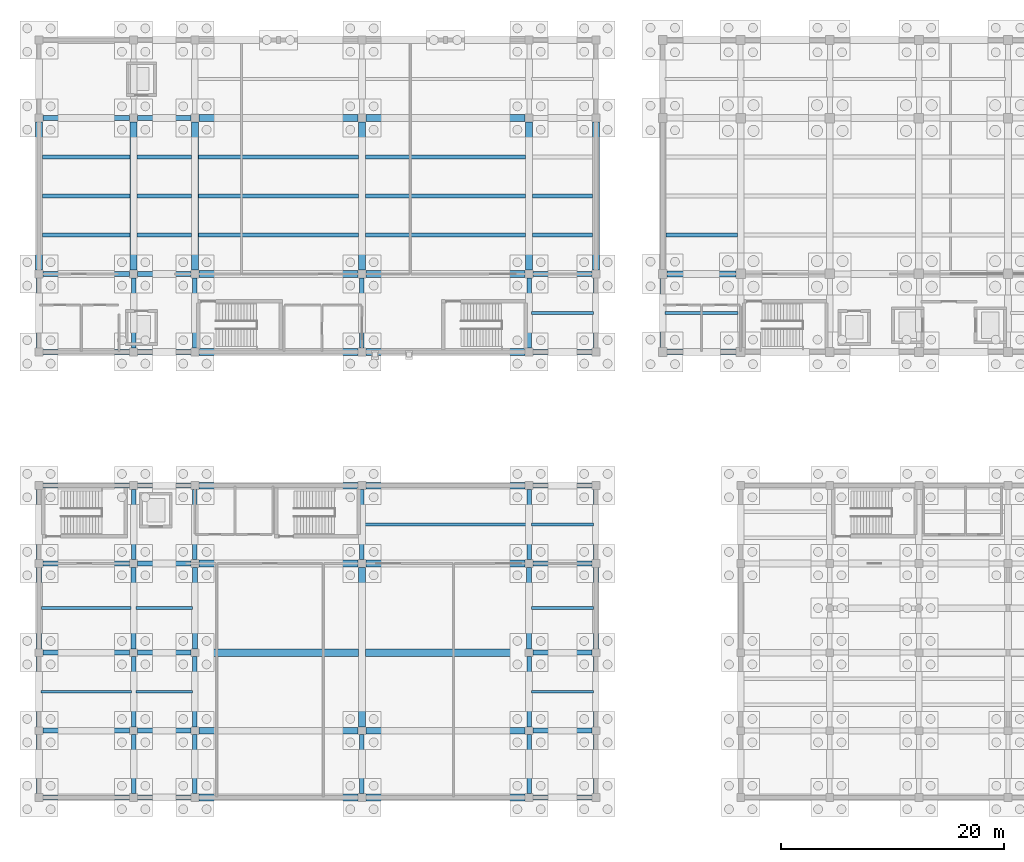
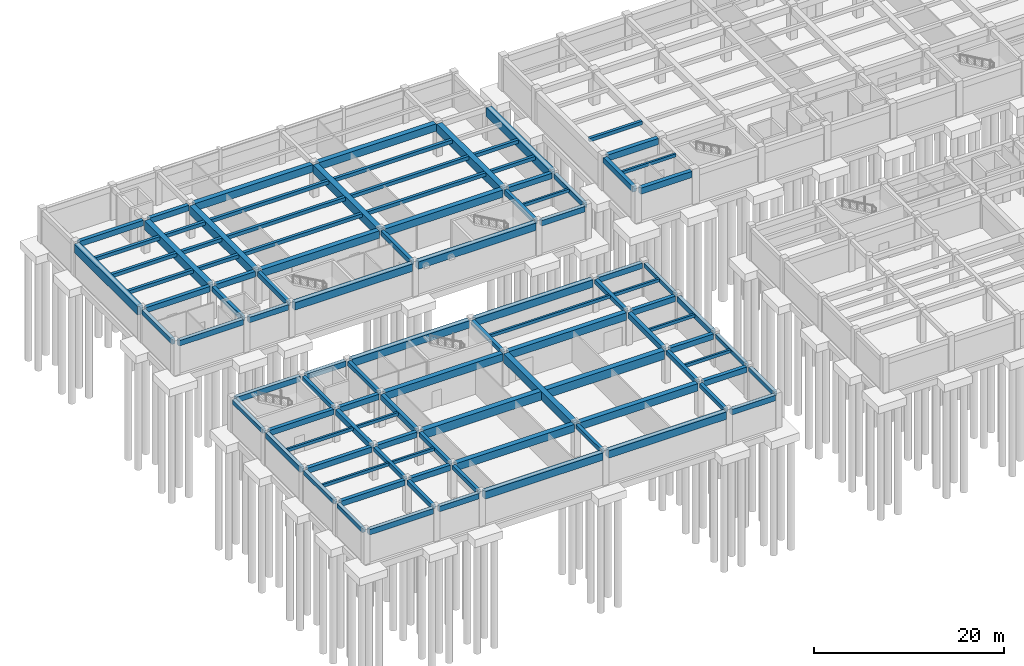
# One storey, part 10 of 28: 101 beams.
"""IFC4 building model written with IfcOpenShell, lengths in metres."""

import ifcopenshell
import ifcopenshell.guid

model = None  # the IFC model being written
_history = None  # IfcOwnerHistory: only IFC2X3 demands one
_inside = {}  # id of a spatial element -> (the spatial element, [elements in it])
_under = {}  # id of a project, library or spatial element -> (it, [spatial elements below it])
_declared = {}  # id of a project -> (the project, [libraries it declares])
_typed = {}  # id of a type object -> (the type object, [elements of that type])
_made_of = {}  # id of a material, layer set ... -> (it, [elements and type objects made of it])


def new_model(schema):
    """Start an empty IFC model of exactly this schema.

    Asked for "IFC4X3", IfcOpenShell would pick the latest addendum, in which some entities
    have other attributes; the version numbers below select the first issue.
    IFC2X3 requires an IfcOwnerHistory on every rooted entity: one is made here for all.
    """
    global model, _history
    if schema == "IFC4X3":
        model = ifcopenshell.file(schema_version=(4, 3, 0, 0))
    else:
        model = ifcopenshell.file(schema=schema)
    _inside.clear()
    _under.clear()
    _declared.clear()
    _typed.clear()
    _made_of.clear()
    _history = None
    if model.schema == "IFC2X3":
        org = make("IfcOrganization", Name="unknown")
        user = make(
            "IfcPersonAndOrganization",
            ThePerson=make("IfcPerson", FamilyName="unknown"),
            TheOrganization=org,
        )
        app = make(
            "IfcApplication",
            ApplicationDeveloper=org,
            Version="unknown",
            ApplicationFullName="unknown",
            ApplicationIdentifier="unknown",
        )
        _history = make(
            "IfcOwnerHistory",
            OwningUser=user,
            OwningApplication=app,
            ChangeAction="ADDED",
            CreationDate=0,
        )
    return model


def make(cls, **values):
    """One entity of the class cls with the attributes given. An attribute that is None is left unset."""
    return model.create_entity(
        cls, **{name: value for name, value in values.items() if value is not None}
    )


def rooted(cls, **values):
    """An entity with a GlobalId (a new one), such as an element, a storey or a relation."""
    return make(cls, GlobalId=ifcopenshell.guid.new(), OwnerHistory=_history, **values)


def si_unit(unit_type, name, prefix=None):
    """IfcSIUnit, for example si_unit("LENGTHUNIT", "METRE", prefix="MILLI")."""
    return make("IfcSIUnit", UnitType=unit_type, Prefix=prefix, Name=name)


def assignment(units):
    """IfcUnitAssignment: the units of a project."""
    return None if units is None else make("IfcUnitAssignment", Units=units)


def point(xyz):
    """IfcCartesianPoint."""
    return None if xyz is None else make("IfcCartesianPoint", Coordinates=xyz)


def direction(xyz):
    """IfcDirection."""
    return None if xyz is None else make("IfcDirection", DirectionRatios=xyz)


def frame(location, z_axis=None, x_axis=None):
    """IfcAxis2Placement3D, a coordinate frame: its origin and axes. An axis left out is left unset."""
    return make(
        "IfcAxis2Placement3D",
        Location=point(location),
        Axis=direction(z_axis),
        RefDirection=direction(x_axis),
    )


def frame_2d(location, x_axis=None):
    """IfcAxis2Placement2D, a coordinate frame in the plane: its origin and x axis."""
    return make(
        "IfcAxis2Placement2D", Location=point(location), RefDirection=direction(x_axis)
    )


def origin():
    """The frame at (0, 0, 0) with its axes left unset."""
    return frame((0.0, 0.0, 0.0))


def origin_2d():
    """The frame at (0, 0) in the plane with its x axis left unset."""
    return frame_2d((0.0, 0.0))


def place(relative_to, where):
    """IfcLocalPlacement: puts the frame where relative to a parent placement (None: the world)."""
    return make(
        "IfcLocalPlacement", PlacementRelTo=relative_to, RelativePlacement=where
    )


def context(
    kind, dimensions, precision=None, world=None, true_north=None, identifier=None
):
    """IfcGeometricRepresentationContext, for example the 3D "Model" context."""
    return make(
        "IfcGeometricRepresentationContext",
        ContextIdentifier=identifier,
        ContextType=kind,
        CoordinateSpaceDimension=dimensions,
        Precision=precision,
        WorldCoordinateSystem=world,
        TrueNorth=true_north,
    )


def subcontext(parent, identifier, kind, view, scale=None):
    """IfcGeometricRepresentationSubContext, for example "Body" below "Model"."""
    return make(
        "IfcGeometricRepresentationSubContext",
        ContextIdentifier=identifier,
        ContextType=kind,
        ParentContext=parent,
        TargetScale=scale,
        TargetView=view,
    )


def project(units=None, contexts=None):
    """IfcProject with its units and contexts."""
    return rooted(
        "IfcProject",
        Name="project",
        RepresentationContexts=contexts,
        UnitsInContext=assignment(units),
    )


def spatial(cls, under=None, at=None, **own):
    """A site, building, storey or space (cls), placed at a placement, below another one or the project."""
    s = rooted(cls, ObjectPlacement=at, **own)
    if under is not None:
        _under.setdefault(under.id(), (under, []))[1].append(s)
    return s


def profile(cls, at=None, kind="AREA", **sizes):
    """A parametric profile (cls). Its sizes go by their IFC names, for example OverallWidth=200.0."""
    return make(cls, ProfileType=kind, Position=at, **sizes)


def rectangle(**sizes):
    """IfcRectangleProfileDef."""
    return profile("IfcRectangleProfileDef", **sizes)


def extrude(swept, where, along, depth):
    """IfcExtrudedAreaSolid: the profile swept, set in the frame where, extruded along a direction by depth."""
    return make(
        "IfcExtrudedAreaSolid",
        SweptArea=swept,
        Position=where,
        ExtrudedDirection=direction(along),
        Depth=depth,
    )


def shape(context_of_items, identifier, shape_type, items):
    """IfcShapeRepresentation: the items that make up one representation, for example the "Body"."""
    return make(
        "IfcShapeRepresentation",
        ContextOfItems=context_of_items,
        RepresentationIdentifier=identifier,
        RepresentationType=shape_type,
        Items=items,
    )


def material(Name=None, Category=None):
    """IfcMaterial."""
    return make("IfcMaterial", Name=Name, Category=Category)


def material_profile(
    of_material, cross_section, Name=None, Category=None, Priority=None
):
    """IfcMaterialProfile: a cross section and its material."""
    return make(
        "IfcMaterialProfile",
        Name=Name,
        Material=of_material,
        Profile=cross_section,
        Priority=Priority,
        Category=Category,
    )


def profile_set(profiles, Name=None, composite=None):
    """IfcMaterialProfileSet."""
    return make(
        "IfcMaterialProfileSet",
        Name=Name,
        MaterialProfiles=profiles,
        CompositeProfile=composite,
    )


def made_of(thing, what):
    """Note that an element or type object is made of a material, layer set ...; save() writes the relation."""
    if what is not None:
        _made_of.setdefault(what.id(), (what, []))[1].append(thing)
    return thing


def type_object(cls, material=None, **own):
    """A type object (cls), such as IfcWallType, which elements share."""
    return made_of(rooted(cls, **own), material)


def element(
    cls,
    number,
    at=None,
    inside=None,
    cuts=None,
    type_object=None,
    material=None,
    context=None,
    identifier="Body",
    shape_type=None,
    held_by="IfcProductDefinitionShape",
    body=None,
    shapes=None,
    **own,
):
    """One element of the class cls, such as IfcWall. Its Tag is "e" and its number.

    at: its placement. inside: the storey or other place that contains it. cuts: it is an
    opening in that element (IfcRelVoidsElement). A single representation is given by context,
    identifier, shape_type and body (its items); several are given by shapes. held_by: the class
    of the entity that holds the representations. save() writes the other relations.
    """
    e = rooted(cls, Tag="e%d" % number, ObjectPlacement=at, **own)
    if body is not None:
        shapes = [shape(context, identifier, shape_type, body)]
    if shapes is not None:
        e.Representation = make(held_by, Representations=shapes)
    if inside is not None:
        _inside.setdefault(inside.id(), (inside, []))[1].append(e)
    if cuts is not None:
        rooted(
            "IfcRelVoidsElement", RelatingBuildingElement=cuts, RelatedOpeningElement=e
        )
    if type_object is not None:
        _typed.setdefault(type_object.id(), (type_object, []))[1].append(e)
    return made_of(e, material)


def aggregate(whole, parts):
    """IfcRelAggregates: a whole, such as a stair, and the parts it consists of."""
    return rooted("IfcRelAggregates", RelatingObject=whole, RelatedObjects=parts)


def save(model, path):
    """Write the relations noted so far, then the file.

    IfcRelAggregates (storeys below a building ...), IfcRelContainedInSpatialStructure (elements
    in a storey), IfcRelDefinesByType, IfcRelAssociatesMaterial and IfcRelDeclares: one each for
    every whole, place, type object, material and project.
    """
    for whole, parts in _under.values():
        aggregate(whole, parts)
    for where, things in _inside.values():
        rooted(
            "IfcRelContainedInSpatialStructure",
            RelatedElements=things,
            RelatingStructure=where,
        )
    for kind, things in _typed.values():
        rooted("IfcRelDefinesByType", RelatedObjects=things, RelatingType=kind)
    for what, things in _made_of.values():
        rooted("IfcRelAssociatesMaterial", RelatedObjects=things, RelatingMaterial=what)
    for by, libraries in _declared.values():
        rooted("IfcRelDeclares", RelatingContext=by, RelatedDefinitions=libraries)
    model.write(path)


model = new_model("IFC4")

# Units and contexts
model_context = context("Model", 3, precision=1e-05, world=origin(), true_north=direction((0.0, 1.0)))
body_context = subcontext(model_context, "Body", "Model", "MODEL_VIEW")
ifc_project = project(units=[si_unit("LENGTHUNIT", "METRE"), si_unit("AREAUNIT", "SQUARE_METRE"), si_unit("VOLUMEUNIT", "CUBIC_METRE"), si_unit("PLANEANGLEUNIT", "RADIAN"), si_unit("MASSUNIT", "GRAM", prefix="KILO")], contexts=[model_context])

# Site, building, storey
site_placement = place(None, origin())
site = spatial("IfcSite", under=ifc_project, at=site_placement, CompositionType="ELEMENT")
building_placement = place(site_placement, origin())
building = spatial("IfcBuilding", under=site, at=building_placement, Name="Naurynzar Civic Courthouse", CompositionType="ELEMENT")
storey_placement = place(building_placement, frame((0.0, 0.0, -4.5)))
storey = spatial("IfcBuildingStorey", under=building, at=storey_placement, Name="B01", CompositionType="ELEMENT", Elevation=-4.5)

# Beams
ifc_material_1 = material(Name="Concrete C40/50", Category="concrete")
ifc_material_profile_1 = material_profile(ifc_material_1, rectangle(XDim=0.25, YDim=0.39990234375, at=origin_2d()), Name="RCB 250x400")
ifc_profile_set_1 = profile_set([ifc_material_profile_1], Name="Concrete C40/50")
beam_type_1 = type_object("IfcBeamType", Name="BM-JST-250x400", PredefinedType="JOIST", material=ifc_profile_set_1)
beam_1_placement = place(storey_placement, frame((50.199951171875, 47.5, 4.030029296875), z_axis=(1.0, 0.0, 0.0), x_axis=(0.0, 1.0, 0.0)))
element("IfcBeam", 1, at=beam_1_placement, inside=storey, type_object=beam_type_1, Name="V1 secondary rib 39 B01", PredefinedType="JOIST", context=body_context, shape_type="SweptSolid", body=[
    extrude(rectangle(XDim=0.25, YDim=0.39990234375, at=origin_2d()), origin(), (0.0, 0.0, 1.0), 5.60009765625),
])
beam_2_placement = place(storey_placement, frame((62.22509765625, 47.5, 4.0), z_axis=(1.0, 0.0, 0.0), x_axis=(0.0, 1.0, 0.0)))
element("IfcBeam", 2, at=beam_2_placement, inside=storey, type_object=beam_type_1, Name="V2 secondary rib 338 B01", PredefinedType="JOIST", context=body_context, shape_type="SweptSolid", body=[
    extrude(rectangle(XDim=0.25, YDim=0.39990234375, at=origin_2d()), origin(), (0.0, 0.0, 1.0), 6.5498046875),
])
beam_3_placement = place(storey_placement, frame((6.199951171875, 13.5, 4.030029296875), z_axis=(1.0, 0.0, 0.0), x_axis=(0.0, 1.0, 0.0)))
element("IfcBeam", 3, at=beam_3_placement, inside=storey, type_object=beam_type_1, Name="V4 secondary rib 1742 B01", PredefinedType="JOIST", context=body_context, shape_type="SweptSolid", body=[
    extrude(rectangle(XDim=0.25, YDim=0.39990234375, at=origin_2d()), origin(), (0.0, 0.0, 1.0), 8.10009765625),
])
beam_4_placement = place(storey_placement, frame((14.699951171875, 13.5, 4.030029296875), z_axis=(1.0, 0.0, 0.0), x_axis=(0.0, 1.0, 0.0)))
element("IfcBeam", 4, at=beam_4_placement, inside=storey, type_object=beam_type_1, Name="V4 secondary rib 1743 B01", PredefinedType="JOIST", context=body_context, shape_type="SweptSolid", body=[
    extrude(rectangle(XDim=0.25, YDim=0.39990234375, at=origin_2d()), origin(), (0.0, 0.0, 1.0), 5.10009765625),
])
beam_5_placement = place(storey_placement, frame((50.199951171875, 13.5, 4.030029296875), z_axis=(1.0, 0.0, 0.0), x_axis=(0.0, 1.0, 0.0)))
element("IfcBeam", 5, at=beam_5_placement, inside=storey, type_object=beam_type_1, Name="V4 secondary rib 1744 B01", PredefinedType="JOIST", context=body_context, shape_type="SweptSolid", body=[
    extrude(rectangle(XDim=0.25, YDim=0.39990234375, at=origin_2d()), origin(), (0.0, 0.0, 1.0), 5.60009765625),
])
beam_6_placement = place(storey_placement, frame((6.22509765625, 21.0, 4.030029296875), z_axis=(1.0, 0.0, 0.0), x_axis=(0.0, 1.0, 0.0)))
element("IfcBeam", 6, at=beam_6_placement, inside=storey, type_object=beam_type_1, Name="V4 secondary rib 1745 B01", PredefinedType="JOIST", context=body_context, shape_type="SweptSolid", body=[
    extrude(rectangle(XDim=0.25, YDim=0.39990234375, at=origin_2d()), origin(), (0.0, 0.0, 1.0), 8.0498046875),
])
beam_7_placement = place(storey_placement, frame((14.72509765625, 21.0, 4.030029296875), z_axis=(1.0, 0.0, 0.0), x_axis=(0.0, 1.0, 0.0)))
element("IfcBeam", 7, at=beam_7_placement, inside=storey, type_object=beam_type_1, Name="V4 secondary rib 1746 B01", PredefinedType="JOIST", context=body_context, shape_type="SweptSolid", body=[
    extrude(rectangle(XDim=0.25, YDim=0.39990234375, at=origin_2d()), origin(), (0.0, 0.0, 1.0), 5.0498046875),
])
beam_8_placement = place(storey_placement, frame((50.22509765625, 21.0, 4.030029296875), z_axis=(1.0, 0.0, 0.0), x_axis=(0.0, 1.0, 0.0)))
element("IfcBeam", 8, at=beam_8_placement, inside=storey, type_object=beam_type_1, Name="V4 secondary rib 1747 B01", PredefinedType="JOIST", context=body_context, shape_type="SweptSolid", body=[
    extrude(rectangle(XDim=0.25, YDim=0.39990234375, at=origin_2d()), origin(), (0.0, 0.0, 1.0), 5.5498046875),
])
beam_9_placement = place(storey_placement, frame((35.199951171875, 28.5, 4.030029296875), z_axis=(1.0, 0.0, 0.0), x_axis=(0.0, 1.0, 0.0)))
element("IfcBeam", 9, at=beam_9_placement, inside=storey, type_object=beam_type_1, Name="V4 secondary rib 1748 B01", PredefinedType="JOIST", context=body_context, shape_type="SweptSolid", body=[
    extrude(rectangle(XDim=0.25, YDim=0.39990234375, at=origin_2d()), origin(), (0.0, 0.0, 1.0), 14.60009765625),
])
beam_10_placement = place(storey_placement, frame((50.199951171875, 28.5, 4.030029296875), z_axis=(1.0, 0.0, 0.0), x_axis=(0.0, 1.0, 0.0)))
element("IfcBeam", 10, at=beam_10_placement, inside=storey, type_object=beam_type_1, Name="V4 secondary rib 1749 B01", PredefinedType="JOIST", context=body_context, shape_type="SweptSolid", body=[
    extrude(rectangle(XDim=0.25, YDim=0.39990234375, at=origin_2d()), origin(), (0.0, 0.0, 1.0), 5.60009765625),
])
ifc_material_2 = material(Name="Concrete C40/50", Category="concrete")
ifc_material_profile_2 = material_profile(ifc_material_2, rectangle(XDim=0.60009765625, YDim=0.949951171875, at=origin_2d()), Name="PTB 600x950")
ifc_profile_set_2 = profile_set([ifc_material_profile_2], Name="Concrete C40/50")
beam_type_2 = type_object("IfcBeamType", Name="BM-PT-600x950", PredefinedType="T_BEAM", material=ifc_profile_set_2)
for number, where, z_axis, x_axis, name in (
    (11, (20.35009765625, 44.0, 3.7548828125), (1.0, 0.0, 0.0), (0.0, 1.0, 0.0), "V1 beam X-3 B01"),
    (12, (35.35009765625, 44.0, 3.7548828125), (1.0, 0.0, 0.0), (0.0, 1.0, 0.0), "V1 beam X-4 B01"),
    (13, (20.35009765625, 51.0, 3.7548828125), (1.0, 0.0, 0.0), (0.0, 1.0, 0.0), "V1 beam X-8 B01"),
    (14, (35.35009765625, 51.0, 3.7548828125), (1.0, 0.0, 0.0), (0.0, 1.0, 0.0), "V1 beam X-9 B01"),
    (15, (20.35009765625, 65.0, 3.7548828125), (1.0, 0.0, 0.0), (0.0, 1.0, 0.0), "V1 beam X-13 B01"),
    (16, (35.35009765625, 65.0, 3.7548828125), (1.0, 0.0, 0.0), (0.0, 1.0, 0.0), "V1 beam X-14 B01"),
    (17, (20.35009765625, 4.0, 3.7548828125), (1.0, 0.0, 0.0), (0.0, 1.0, 0.0), "V4 beam X-1697 B01"),
    (18, (35.35009765625, 4.0, 3.7548828125), (1.0, 0.0, 0.0), (0.0, 1.0, 0.0), "V4 beam X-1698 B01"),
    (19, (20.35009765625, 10.0, 3.7548828125), (1.0, 0.0, 0.0), (0.0, 1.0, 0.0), "V4 beam X-1702 B01"),
    (20, (35.35009765625, 10.0, 3.7548828125), (1.0, 0.0, 0.0), (0.0, 1.0, 0.0), "V4 beam X-1703 B01"),
    (21, (20.35009765625, 25.0, 3.7548828125), (1.0, 0.0, 0.0), (0.0, 1.0, 0.0), "V4 beam X-1711 B01"),
    (22, (35.35009765625, 25.0, 3.7548828125), (1.0, 0.0, 0.0), (0.0, 1.0, 0.0), "V4 beam X-1712 B01"),
    (23, (20.35009765625, 32.0, 3.7548828125), (1.0, 0.0, 0.0), (0.0, 1.0, 0.0), "V4 beam X-1716 B01"),
    (24, (35.35009765625, 32.0, 3.7548828125), (1.0, 0.0, 0.0), (0.0, 1.0, 0.0), "V4 beam X-1717 B01"),
):
    element("IfcBeam", number, at=place(storey_placement, frame(where, z_axis=z_axis, x_axis=x_axis)), inside=storey, type_object=beam_type_2, Name=name, PredefinedType="T_BEAM", context=body_context, shape_type="SweptSolid", body=[
        extrude(rectangle(XDim=0.60009765625, YDim=0.949951171875, at=origin_2d()), origin(), (0.0, 0.0, 1.0), 14.2998046875),
    ])
ifc_material_3 = material(Name="Concrete C40/50", Category="concrete")
ifc_material_profile_3 = material_profile(ifc_material_3, rectangle(XDim=0.64990234375, YDim=1.10009765625, at=origin_2d()), Name="PTB 650x1100")
ifc_profile_set_3 = profile_set([ifc_material_profile_3], Name="Concrete C40/50")
beam_type_3 = type_object("IfcBeamType", Name="BM-PT-650x1100", PredefinedType="T_BEAM", material=ifc_profile_set_3)
for number, where, z_axis, x_axis, name in (
    (25, (6.0, 51.35009765625, 3.679931640625), (0.0, 1.0, 0.0), (-1.0, 0.0, 0.0), "V1 girder Y-22 B01"),
    (26, (14.5, 51.35009765625, 3.679931640625), (0.0, 1.0, 0.0), (-1.0, 0.0, 0.0), "V1 girder Y-25 B01"),
    (27, (20.0, 51.35009765625, 3.679931640625), (0.0, 1.0, 0.0), (-1.0, 0.0, 0.0), "V1 girder Y-28 B01"),
    (28, (35.0, 51.35009765625, 3.679931640625), (0.0, 1.0, 0.0), (-1.0, 0.0, 0.0), "V1 girder Y-31 B01"),
    (29, (50.0, 51.35009765625, 3.679931640625), (0.0, 1.0, 0.0), (-1.0, 0.0, 0.0), "V1 girder Y-34 B01"),
    (30, (56.0, 51.35009765625, 3.679931640625), (0.0, 1.0, 0.0), (-1.0, 0.0, 0.0), "V1 girder Y-37 B01"),
):
    element("IfcBeam", number, at=place(storey_placement, frame(where, z_axis=z_axis, x_axis=x_axis)), inside=storey, type_object=beam_type_3, Name=name, PredefinedType="T_BEAM", context=body_context, shape_type="SweptSolid", body=[
        extrude(rectangle(XDim=0.64990234375, YDim=1.10009765625, at=origin_2d()), origin(), (0.0, 0.0, 1.0), 13.2998046875),
    ])
beam_11_placement = place(storey_placement, frame((20.35009765625, 17.0, 3.679931640625), z_axis=(1.0, 0.0, 0.0), x_axis=(0.0, 1.0, 0.0)))
element("IfcBeam", 31, at=beam_11_placement, inside=storey, type_object=beam_type_3, Name="V4 beam X-1707 B01", PredefinedType="T_BEAM", context=body_context, shape_type="SweptSolid", body=[
    extrude(rectangle(XDim=0.64990234375, YDim=1.10009765625, at=origin_2d()), origin(), (0.0, 0.0, 1.0), 29.2998046875),
])
beam_12_placement = place(storey_placement, frame((35.0, 10.35009765625, 3.679931640625), z_axis=(0.0, 1.0, 0.0), x_axis=(-1.0, 0.0, 0.0)))
element("IfcBeam", 32, at=beam_12_placement, inside=storey, type_object=beam_type_3, Name="V4 girder Y-1732 B01", PredefinedType="T_BEAM", context=body_context, shape_type="SweptSolid", body=[
    extrude(rectangle(XDim=0.64990234375, YDim=1.10009765625, at=origin_2d()), origin(), (0.0, 0.0, 1.0), 14.2998046875),
])
ifc_material_4 = material(Name="Concrete C40/50", Category="concrete")
ifc_material_profile_4 = material_profile(ifc_material_4, rectangle(XDim=0.35009765625, YDim=0.449951171875, at=origin_2d()), Name="RCB 350x450")
ifc_profile_set_4 = profile_set([ifc_material_profile_4], Name="Concrete C40/50")
beam_type_4 = type_object("IfcBeamType", Name="BM-RC-350x450", PredefinedType="BEAM", material=ifc_profile_set_4)
for number, where, z_axis, x_axis, name in (
    (33, (6.324951171875, 54.5, 4.0048828125), (1.0, 0.0, 0.0), (0.0, 1.0, 0.0), "V1 secondary rib 40 B01"),
    (34, (6.324951171875, 58.0, 4.0048828125), (1.0, 0.0, 0.0), (0.0, 1.0, 0.0), "V1 secondary rib 41 B01"),
    (35, (6.324951171875, 61.5, 4.0048828125), (1.0, 0.0, 0.0), (0.0, 1.0, 0.0), "V1 secondary rib 42 B01"),
):
    element("IfcBeam", number, at=place(storey_placement, frame(where, z_axis=z_axis, x_axis=x_axis)), inside=storey, type_object=beam_type_4, Name=name, PredefinedType="BEAM", context=body_context, shape_type="SweptSolid", body=[
        extrude(rectangle(XDim=0.35009765625, YDim=0.449951171875, at=origin_2d()), origin(), (0.0, 0.0, 1.0), 7.85009765625),
    ])
for number, where, z_axis, x_axis, name in (
    (36, (14.824951171875, 54.5, 4.0048828125), (1.0, 0.0, 0.0), (0.0, 1.0, 0.0), "V1 secondary rib 43 B01"),
    (37, (14.824951171875, 58.0, 4.0048828125), (1.0, 0.0, 0.0), (0.0, 1.0, 0.0), "V1 secondary rib 44 B01"),
    (38, (14.824951171875, 61.5, 4.0048828125), (1.0, 0.0, 0.0), (0.0, 1.0, 0.0), "V1 secondary rib 45 B01"),
):
    element("IfcBeam", number, at=place(storey_placement, frame(where, z_axis=z_axis, x_axis=x_axis)), inside=storey, type_object=beam_type_4, Name=name, PredefinedType="BEAM", context=body_context, shape_type="SweptSolid", body=[
        extrude(rectangle(XDim=0.35009765625, YDim=0.449951171875, at=origin_2d()), origin(), (0.0, 0.0, 1.0), 4.85009765625),
    ])
for number, where, z_axis, x_axis, name in (
    (39, (20.324951171875, 54.5, 4.0048828125), (1.0, 0.0, 0.0), (0.0, 1.0, 0.0), "V1 secondary rib 46 B01"),
    (40, (20.324951171875, 58.0, 4.0048828125), (1.0, 0.0, 0.0), (0.0, 1.0, 0.0), "V1 secondary rib 47 B01"),
    (41, (20.324951171875, 61.5, 4.0048828125), (1.0, 0.0, 0.0), (0.0, 1.0, 0.0), "V1 secondary rib 48 B01"),
    (42, (35.324951171875, 54.5, 4.0048828125), (1.0, 0.0, 0.0), (0.0, 1.0, 0.0), "V1 secondary rib 49 B01"),
    (43, (35.324951171875, 58.0, 4.0048828125), (1.0, 0.0, 0.0), (0.0, 1.0, 0.0), "V1 secondary rib 50 B01"),
    (44, (35.324951171875, 61.5, 4.0048828125), (1.0, 0.0, 0.0), (0.0, 1.0, 0.0), "V1 secondary rib 51 B01"),
):
    element("IfcBeam", number, at=place(storey_placement, frame(where, z_axis=z_axis, x_axis=x_axis)), inside=storey, type_object=beam_type_4, Name=name, PredefinedType="BEAM", context=body_context, shape_type="SweptSolid", body=[
        extrude(rectangle(XDim=0.35009765625, YDim=0.449951171875, at=origin_2d()), origin(), (0.0, 0.0, 1.0), 14.35009765625),
    ])
for number, where, z_axis, x_axis, name in (
    (45, (50.324951171875, 54.5, 4.0048828125), (1.0, 0.0, 0.0), (0.0, 1.0, 0.0), "V1 secondary rib 52 B01"),
    (46, (50.324951171875, 58.0, 4.0048828125), (1.0, 0.0, 0.0), (0.0, 1.0, 0.0), "V1 secondary rib 53 B01"),
):
    element("IfcBeam", number, at=place(storey_placement, frame(where, z_axis=z_axis, x_axis=x_axis)), inside=storey, type_object=beam_type_4, Name=name, PredefinedType="BEAM", context=body_context, shape_type="SweptSolid", body=[
        extrude(rectangle(XDim=0.35009765625, YDim=0.449951171875, at=origin_2d()), origin(), (0.0, 0.0, 1.0), 5.35009765625),
    ])
beam_13_placement = place(storey_placement, frame((62.300048828125, 54.5, 3.97509765625), z_axis=(1.0, 0.0, 0.0), x_axis=(0.0, 1.0, 0.0)))
element("IfcBeam", 47, at=beam_13_placement, inside=storey, type_object=beam_type_4, Name="V2 secondary rib 342 B01", PredefinedType="BEAM", context=body_context, shape_type="SweptSolid", body=[
    extrude(rectangle(XDim=0.35009765625, YDim=0.449951171875, at=origin_2d()), origin(), (0.0, 0.0, 1.0), 6.39990234375),
])
ifc_material_5 = material(Name="Concrete C40/50", Category="concrete")
ifc_material_profile_5 = material_profile(ifc_material_5, rectangle(XDim=0.39990234375, YDim=0.550048828125, at=origin_2d()), Name="RCB 400x550")
ifc_profile_set_5 = profile_set([ifc_material_profile_5], Name="Concrete C40/50")
beam_type_5 = type_object("IfcBeamType", Name="BM-RC-400x550", PredefinedType="BEAM", material=ifc_profile_set_5)
beam_14_placement = place(storey_placement, frame((6.0, 4.35009765625, 3.955078125), z_axis=(0.0, 1.0, 0.0), x_axis=(-1.0, 0.0, 0.0)))
element("IfcBeam", 48, at=beam_14_placement, inside=storey, type_object=beam_type_5, Name="V4 girder Y-1719 B01", PredefinedType="BEAM", context=body_context, shape_type="SweptSolid", body=[
    extrude(rectangle(XDim=0.39990234375, YDim=0.550048828125, at=origin_2d()), origin(), (0.0, 0.0, 1.0), 5.2998046875),
])
for number, where, z_axis, x_axis, name in (
    (49, (6.0, 10.35009765625, 3.955078125), (0.0, 1.0, 0.0), (-1.0, 0.0, 0.0), "V4 girder Y-1720 B01"),
    (50, (6.0, 25.35009765625, 3.955078125), (0.0, 1.0, 0.0), (-1.0, 0.0, 0.0), "V4 girder Y-1722 B01"),
):
    element("IfcBeam", number, at=place(storey_placement, frame(where, z_axis=z_axis, x_axis=x_axis)), inside=storey, type_object=beam_type_5, Name=name, PredefinedType="BEAM", context=body_context, shape_type="SweptSolid", body=[
        extrude(rectangle(XDim=0.39990234375, YDim=0.550048828125, at=origin_2d()), origin(), (0.0, 0.0, 1.0), 6.2998046875),
    ])
beam_15_placement = place(storey_placement, frame((14.5, 4.35009765625, 3.955078125), z_axis=(0.0, 1.0, 0.0), x_axis=(-1.0, 0.0, 0.0)))
element("IfcBeam", 51, at=beam_15_placement, inside=storey, type_object=beam_type_5, Name="V4 girder Y-1723 B01", PredefinedType="BEAM", context=body_context, shape_type="SweptSolid", body=[
    extrude(rectangle(XDim=0.39990234375, YDim=0.550048828125, at=origin_2d()), origin(), (0.0, 0.0, 1.0), 5.2998046875),
])
for number, where, z_axis, x_axis, name in (
    (52, (14.5, 10.35009765625, 3.955078125), (0.0, 1.0, 0.0), (-1.0, 0.0, 0.0), "V4 girder Y-1724 B01"),
    (53, (14.5, 25.35009765625, 3.955078125), (0.0, 1.0, 0.0), (-1.0, 0.0, 0.0), "V4 girder Y-1726 B01"),
):
    element("IfcBeam", number, at=place(storey_placement, frame(where, z_axis=z_axis, x_axis=x_axis)), inside=storey, type_object=beam_type_5, Name=name, PredefinedType="BEAM", context=body_context, shape_type="SweptSolid", body=[
        extrude(rectangle(XDim=0.39990234375, YDim=0.550048828125, at=origin_2d()), origin(), (0.0, 0.0, 1.0), 6.2998046875),
    ])
beam_16_placement = place(storey_placement, frame((20.0, 4.35009765625, 3.955078125), z_axis=(0.0, 1.0, 0.0), x_axis=(-1.0, 0.0, 0.0)))
element("IfcBeam", 54, at=beam_16_placement, inside=storey, type_object=beam_type_5, Name="V4 girder Y-1727 B01", PredefinedType="BEAM", context=body_context, shape_type="SweptSolid", body=[
    extrude(rectangle(XDim=0.39990234375, YDim=0.550048828125, at=origin_2d()), origin(), (0.0, 0.0, 1.0), 5.2998046875),
])
for number, where, z_axis, x_axis, name in (
    (55, (20.0, 10.35009765625, 3.955078125), (0.0, 1.0, 0.0), (-1.0, 0.0, 0.0), "V4 girder Y-1728 B01"),
    (56, (20.0, 25.35009765625, 3.955078125), (0.0, 1.0, 0.0), (-1.0, 0.0, 0.0), "V4 girder Y-1730 B01"),
):
    element("IfcBeam", number, at=place(storey_placement, frame(where, z_axis=z_axis, x_axis=x_axis)), inside=storey, type_object=beam_type_5, Name=name, PredefinedType="BEAM", context=body_context, shape_type="SweptSolid", body=[
        extrude(rectangle(XDim=0.39990234375, YDim=0.550048828125, at=origin_2d()), origin(), (0.0, 0.0, 1.0), 6.2998046875),
    ])
beam_17_placement = place(storey_placement, frame((35.0, 4.35009765625, 3.955078125), z_axis=(0.0, 1.0, 0.0), x_axis=(-1.0, 0.0, 0.0)))
element("IfcBeam", 57, at=beam_17_placement, inside=storey, type_object=beam_type_5, Name="V4 girder Y-1731 B01", PredefinedType="BEAM", context=body_context, shape_type="SweptSolid", body=[
    extrude(rectangle(XDim=0.39990234375, YDim=0.550048828125, at=origin_2d()), origin(), (0.0, 0.0, 1.0), 5.2998046875),
])
beam_18_placement = place(storey_placement, frame((35.0, 25.35009765625, 3.955078125), z_axis=(0.0, 1.0, 0.0), x_axis=(-1.0, 0.0, 0.0)))
element("IfcBeam", 58, at=beam_18_placement, inside=storey, type_object=beam_type_5, Name="V4 girder Y-1733 B01", PredefinedType="BEAM", context=body_context, shape_type="SweptSolid", body=[
    extrude(rectangle(XDim=0.39990234375, YDim=0.550048828125, at=origin_2d()), origin(), (0.0, 0.0, 1.0), 6.2998046875),
])
beam_19_placement = place(storey_placement, frame((50.0, 4.35009765625, 3.955078125), z_axis=(0.0, 1.0, 0.0), x_axis=(-1.0, 0.0, 0.0)))
element("IfcBeam", 59, at=beam_19_placement, inside=storey, type_object=beam_type_5, Name="V4 girder Y-1734 B01", PredefinedType="BEAM", context=body_context, shape_type="SweptSolid", body=[
    extrude(rectangle(XDim=0.39990234375, YDim=0.550048828125, at=origin_2d()), origin(), (0.0, 0.0, 1.0), 5.2998046875),
])
for number, where, z_axis, x_axis, name in (
    (60, (50.0, 10.35009765625, 3.955078125), (0.0, 1.0, 0.0), (-1.0, 0.0, 0.0), "V4 girder Y-1735 B01"),
    (61, (50.0, 25.35009765625, 3.955078125), (0.0, 1.0, 0.0), (-1.0, 0.0, 0.0), "V4 girder Y-1737 B01"),
):
    element("IfcBeam", number, at=place(storey_placement, frame(where, z_axis=z_axis, x_axis=x_axis)), inside=storey, type_object=beam_type_5, Name=name, PredefinedType="BEAM", context=body_context, shape_type="SweptSolid", body=[
        extrude(rectangle(XDim=0.39990234375, YDim=0.550048828125, at=origin_2d()), origin(), (0.0, 0.0, 1.0), 6.2998046875),
    ])
beam_20_placement = place(storey_placement, frame((56.0, 4.35009765625, 3.955078125), z_axis=(0.0, 1.0, 0.0), x_axis=(-1.0, 0.0, 0.0)))
element("IfcBeam", 62, at=beam_20_placement, inside=storey, type_object=beam_type_5, Name="V4 girder Y-1738 B01", PredefinedType="BEAM", context=body_context, shape_type="SweptSolid", body=[
    extrude(rectangle(XDim=0.39990234375, YDim=0.550048828125, at=origin_2d()), origin(), (0.0, 0.0, 1.0), 5.2998046875),
])
for number, where, z_axis, x_axis, name in (
    (63, (56.0, 10.35009765625, 3.955078125), (0.0, 1.0, 0.0), (-1.0, 0.0, 0.0), "V4 girder Y-1739 B01"),
    (64, (56.0, 25.35009765625, 3.955078125), (0.0, 1.0, 0.0), (-1.0, 0.0, 0.0), "V4 girder Y-1741 B01"),
):
    element("IfcBeam", number, at=place(storey_placement, frame(where, z_axis=z_axis, x_axis=x_axis)), inside=storey, type_object=beam_type_5, Name=name, PredefinedType="BEAM", context=body_context, shape_type="SweptSolid", body=[
        extrude(rectangle(XDim=0.39990234375, YDim=0.550048828125, at=origin_2d()), origin(), (0.0, 0.0, 1.0), 6.2998046875),
    ])
ifc_material_6 = material(Name="Concrete C40/50", Category="concrete")
ifc_material_profile_6 = material_profile(ifc_material_6, rectangle(XDim=0.39990234375, YDim=0.64990234375, at=origin_2d()), Name="RCB 400x650")
ifc_profile_set_6 = profile_set([ifc_material_profile_6], Name="Concrete C40/50")
beam_type_6 = type_object("IfcBeamType", Name="BM-RC-400x650", PredefinedType="BEAM", material=ifc_profile_set_6)
for number, where, z_axis, x_axis, name in (
    (65, (6.0, 44.35009765625, 3.905029296875), (0.0, 1.0, 0.0), (-1.0, 0.0, 0.0), "V1 girder Y-21 B01"),
    (66, (14.5, 44.35009765625, 3.905029296875), (0.0, 1.0, 0.0), (-1.0, 0.0, 0.0), "V1 girder Y-24 B01"),
    (67, (20.0, 44.35009765625, 3.905029296875), (0.0, 1.0, 0.0), (-1.0, 0.0, 0.0), "V1 girder Y-27 B01"),
    (68, (35.0, 44.35009765625, 3.905029296875), (0.0, 1.0, 0.0), (-1.0, 0.0, 0.0), "V1 girder Y-30 B01"),
    (69, (50.0, 44.35009765625, 3.905029296875), (0.0, 1.0, 0.0), (-1.0, 0.0, 0.0), "V1 girder Y-33 B01"),
    (70, (56.0, 44.35009765625, 3.905029296875), (0.0, 1.0, 0.0), (-1.0, 0.0, 0.0), "V1 girder Y-36 B01"),
):
    element("IfcBeam", number, at=place(storey_placement, frame(where, z_axis=z_axis, x_axis=x_axis)), inside=storey, type_object=beam_type_6, Name=name, PredefinedType="BEAM", context=body_context, shape_type="SweptSolid", body=[
        extrude(rectangle(XDim=0.39990234375, YDim=0.64990234375, at=origin_2d()), origin(), (0.0, 0.0, 1.0), 6.2998046875),
    ])
ifc_material_7 = material(Name="Concrete C40/50", Category="concrete")
ifc_material_profile_7 = material_profile(ifc_material_7, rectangle(XDim=0.449951171875, YDim=0.699951171875, at=origin_2d()), Name="RCB 450x700")
ifc_profile_set_7 = profile_set([ifc_material_profile_7], Name="Concrete C40/50")
beam_type_7 = type_object("IfcBeamType", Name="BM-RC-450x700", PredefinedType="BEAM", material=ifc_profile_set_7)
beam_21_placement = place(storey_placement, frame((6.35009765625, 44.0, 3.8798828125), z_axis=(1.0, 0.0, 0.0), x_axis=(0.0, 1.0, 0.0)))
element("IfcBeam", 71, at=beam_21_placement, inside=storey, type_object=beam_type_7, Name="V1 beam X-1 B01", PredefinedType="BEAM", context=body_context, shape_type="SweptSolid", body=[
    extrude(rectangle(XDim=0.449951171875, YDim=0.699951171875, at=origin_2d()), origin(), (0.0, 0.0, 1.0), 7.7998046875),
])
beam_22_placement = place(storey_placement, frame((14.85009765625, 44.0, 3.8798828125), z_axis=(1.0, 0.0, 0.0), x_axis=(0.0, 1.0, 0.0)))
element("IfcBeam", 72, at=beam_22_placement, inside=storey, type_object=beam_type_7, Name="V1 beam X-2 B01", PredefinedType="BEAM", context=body_context, shape_type="SweptSolid", body=[
    extrude(rectangle(XDim=0.449951171875, YDim=0.699951171875, at=origin_2d()), origin(), (0.0, 0.0, 1.0), 4.7998046875),
])
beam_23_placement = place(storey_placement, frame((50.35009765625, 44.0, 3.8798828125), z_axis=(1.0, 0.0, 0.0), x_axis=(0.0, 1.0, 0.0)))
element("IfcBeam", 73, at=beam_23_placement, inside=storey, type_object=beam_type_7, Name="V1 beam X-5 B01", PredefinedType="BEAM", context=body_context, shape_type="SweptSolid", body=[
    extrude(rectangle(XDim=0.449951171875, YDim=0.699951171875, at=origin_2d()), origin(), (0.0, 0.0, 1.0), 5.2998046875),
])
beam_24_placement = place(storey_placement, frame((6.35009765625, 51.0, 3.8798828125), z_axis=(1.0, 0.0, 0.0), x_axis=(0.0, 1.0, 0.0)))
element("IfcBeam", 74, at=beam_24_placement, inside=storey, type_object=beam_type_7, Name="V1 beam X-6 B01", PredefinedType="BEAM", context=body_context, shape_type="SweptSolid", body=[
    extrude(rectangle(XDim=0.449951171875, YDim=0.699951171875, at=origin_2d()), origin(), (0.0, 0.0, 1.0), 7.7998046875),
])
beam_25_placement = place(storey_placement, frame((14.85009765625, 51.0, 3.8798828125), z_axis=(1.0, 0.0, 0.0), x_axis=(0.0, 1.0, 0.0)))
element("IfcBeam", 75, at=beam_25_placement, inside=storey, type_object=beam_type_7, Name="V1 beam X-7 B01", PredefinedType="BEAM", context=body_context, shape_type="SweptSolid", body=[
    extrude(rectangle(XDim=0.449951171875, YDim=0.699951171875, at=origin_2d()), origin(), (0.0, 0.0, 1.0), 4.7998046875),
])
beam_26_placement = place(storey_placement, frame((50.35009765625, 51.0, 3.8798828125), z_axis=(1.0, 0.0, 0.0), x_axis=(0.0, 1.0, 0.0)))
element("IfcBeam", 76, at=beam_26_placement, inside=storey, type_object=beam_type_7, Name="V1 beam X-10 B01", PredefinedType="BEAM", context=body_context, shape_type="SweptSolid", body=[
    extrude(rectangle(XDim=0.449951171875, YDim=0.699951171875, at=origin_2d()), origin(), (0.0, 0.0, 1.0), 5.2998046875),
])
beam_27_placement = place(storey_placement, frame((6.35009765625, 65.0, 3.8798828125), z_axis=(1.0, 0.0, 0.0), x_axis=(0.0, 1.0, 0.0)))
element("IfcBeam", 77, at=beam_27_placement, inside=storey, type_object=beam_type_7, Name="V1 beam X-11 B01", PredefinedType="BEAM", context=body_context, shape_type="SweptSolid", body=[
    extrude(rectangle(XDim=0.449951171875, YDim=0.699951171875, at=origin_2d()), origin(), (0.0, 0.0, 1.0), 7.7998046875),
])
beam_28_placement = place(storey_placement, frame((14.85009765625, 65.0, 3.8798828125), z_axis=(1.0, 0.0, 0.0), x_axis=(0.0, 1.0, 0.0)))
element("IfcBeam", 78, at=beam_28_placement, inside=storey, type_object=beam_type_7, Name="V1 beam X-12 B01", PredefinedType="BEAM", context=body_context, shape_type="SweptSolid", body=[
    extrude(rectangle(XDim=0.449951171875, YDim=0.699951171875, at=origin_2d()), origin(), (0.0, 0.0, 1.0), 4.7998046875),
])
beam_29_placement = place(storey_placement, frame((62.0, 44.39990234375, 3.85009765625), z_axis=(0.0, 1.0, 0.0), x_axis=(-1.0, 0.0, 0.0)))
element("IfcBeam", 79, at=beam_29_placement, inside=storey, type_object=beam_type_7, Name="V2 girder Y-311 B01", PredefinedType="BEAM", context=body_context, shape_type="SweptSolid", body=[
    extrude(rectangle(XDim=0.449951171875, YDim=0.699951171875, at=origin_2d()), origin(), (0.0, 0.0, 1.0), 6.2001953125),
])
beam_30_placement = place(storey_placement, frame((6.35009765625, 4.0, 3.8798828125), z_axis=(1.0, 0.0, 0.0), x_axis=(0.0, 1.0, 0.0)))
element("IfcBeam", 80, at=beam_30_placement, inside=storey, type_object=beam_type_7, Name="V4 beam X-1695 B01", PredefinedType="BEAM", context=body_context, shape_type="SweptSolid", body=[
    extrude(rectangle(XDim=0.449951171875, YDim=0.699951171875, at=origin_2d()), origin(), (0.0, 0.0, 1.0), 7.7998046875),
])
beam_31_placement = place(storey_placement, frame((14.85009765625, 4.0, 3.8798828125), z_axis=(1.0, 0.0, 0.0), x_axis=(0.0, 1.0, 0.0)))
element("IfcBeam", 81, at=beam_31_placement, inside=storey, type_object=beam_type_7, Name="V4 beam X-1696 B01", PredefinedType="BEAM", context=body_context, shape_type="SweptSolid", body=[
    extrude(rectangle(XDim=0.449951171875, YDim=0.699951171875, at=origin_2d()), origin(), (0.0, 0.0, 1.0), 4.7998046875),
])
beam_32_placement = place(storey_placement, frame((50.35009765625, 4.0, 3.8798828125), z_axis=(1.0, 0.0, 0.0), x_axis=(0.0, 1.0, 0.0)))
element("IfcBeam", 82, at=beam_32_placement, inside=storey, type_object=beam_type_7, Name="V4 beam X-1699 B01", PredefinedType="BEAM", context=body_context, shape_type="SweptSolid", body=[
    extrude(rectangle(XDim=0.449951171875, YDim=0.699951171875, at=origin_2d()), origin(), (0.0, 0.0, 1.0), 5.2998046875),
])
beam_33_placement = place(storey_placement, frame((6.35009765625, 10.0, 3.8798828125), z_axis=(1.0, 0.0, 0.0), x_axis=(0.0, 1.0, 0.0)))
element("IfcBeam", 83, at=beam_33_placement, inside=storey, type_object=beam_type_7, Name="V4 beam X-1700 B01", PredefinedType="BEAM", context=body_context, shape_type="SweptSolid", body=[
    extrude(rectangle(XDim=0.449951171875, YDim=0.699951171875, at=origin_2d()), origin(), (0.0, 0.0, 1.0), 7.7998046875),
])
beam_34_placement = place(storey_placement, frame((14.85009765625, 10.0, 3.8798828125), z_axis=(1.0, 0.0, 0.0), x_axis=(0.0, 1.0, 0.0)))
element("IfcBeam", 84, at=beam_34_placement, inside=storey, type_object=beam_type_7, Name="V4 beam X-1701 B01", PredefinedType="BEAM", context=body_context, shape_type="SweptSolid", body=[
    extrude(rectangle(XDim=0.449951171875, YDim=0.699951171875, at=origin_2d()), origin(), (0.0, 0.0, 1.0), 4.7998046875),
])
beam_35_placement = place(storey_placement, frame((50.35009765625, 10.0, 3.8798828125), z_axis=(1.0, 0.0, 0.0), x_axis=(0.0, 1.0, 0.0)))
element("IfcBeam", 85, at=beam_35_placement, inside=storey, type_object=beam_type_7, Name="V4 beam X-1704 B01", PredefinedType="BEAM", context=body_context, shape_type="SweptSolid", body=[
    extrude(rectangle(XDim=0.449951171875, YDim=0.699951171875, at=origin_2d()), origin(), (0.0, 0.0, 1.0), 5.2998046875),
])
beam_36_placement = place(storey_placement, frame((6.35009765625, 17.0, 3.8798828125), z_axis=(1.0, 0.0, 0.0), x_axis=(0.0, 1.0, 0.0)))
element("IfcBeam", 86, at=beam_36_placement, inside=storey, type_object=beam_type_7, Name="V4 beam X-1705 B01", PredefinedType="BEAM", context=body_context, shape_type="SweptSolid", body=[
    extrude(rectangle(XDim=0.449951171875, YDim=0.699951171875, at=origin_2d()), origin(), (0.0, 0.0, 1.0), 7.7998046875),
])
beam_37_placement = place(storey_placement, frame((14.85009765625, 17.0, 3.8798828125), z_axis=(1.0, 0.0, 0.0), x_axis=(0.0, 1.0, 0.0)))
element("IfcBeam", 87, at=beam_37_placement, inside=storey, type_object=beam_type_7, Name="V4 beam X-1706 B01", PredefinedType="BEAM", context=body_context, shape_type="SweptSolid", body=[
    extrude(rectangle(XDim=0.449951171875, YDim=0.699951171875, at=origin_2d()), origin(), (0.0, 0.0, 1.0), 4.7998046875),
])
beam_38_placement = place(storey_placement, frame((50.35009765625, 17.0, 3.8798828125), z_axis=(1.0, 0.0, 0.0), x_axis=(0.0, 1.0, 0.0)))
element("IfcBeam", 88, at=beam_38_placement, inside=storey, type_object=beam_type_7, Name="V4 beam X-1708 B01", PredefinedType="BEAM", context=body_context, shape_type="SweptSolid", body=[
    extrude(rectangle(XDim=0.449951171875, YDim=0.699951171875, at=origin_2d()), origin(), (0.0, 0.0, 1.0), 5.2998046875),
])
beam_39_placement = place(storey_placement, frame((6.35009765625, 25.0, 3.8798828125), z_axis=(1.0, 0.0, 0.0), x_axis=(0.0, 1.0, 0.0)))
element("IfcBeam", 89, at=beam_39_placement, inside=storey, type_object=beam_type_7, Name="V4 beam X-1709 B01", PredefinedType="BEAM", context=body_context, shape_type="SweptSolid", body=[
    extrude(rectangle(XDim=0.449951171875, YDim=0.699951171875, at=origin_2d()), origin(), (0.0, 0.0, 1.0), 7.7998046875),
])
beam_40_placement = place(storey_placement, frame((14.85009765625, 25.0, 3.8798828125), z_axis=(1.0, 0.0, 0.0), x_axis=(0.0, 1.0, 0.0)))
element("IfcBeam", 90, at=beam_40_placement, inside=storey, type_object=beam_type_7, Name="V4 beam X-1710 B01", PredefinedType="BEAM", context=body_context, shape_type="SweptSolid", body=[
    extrude(rectangle(XDim=0.449951171875, YDim=0.699951171875, at=origin_2d()), origin(), (0.0, 0.0, 1.0), 4.7998046875),
])
beam_41_placement = place(storey_placement, frame((50.35009765625, 25.0, 3.8798828125), z_axis=(1.0, 0.0, 0.0), x_axis=(0.0, 1.0, 0.0)))
element("IfcBeam", 91, at=beam_41_placement, inside=storey, type_object=beam_type_7, Name="V4 beam X-1713 B01", PredefinedType="BEAM", context=body_context, shape_type="SweptSolid", body=[
    extrude(rectangle(XDim=0.449951171875, YDim=0.699951171875, at=origin_2d()), origin(), (0.0, 0.0, 1.0), 5.2998046875),
])
beam_42_placement = place(storey_placement, frame((6.35009765625, 32.0, 3.8798828125), z_axis=(1.0, 0.0, 0.0), x_axis=(0.0, 1.0, 0.0)))
element("IfcBeam", 92, at=beam_42_placement, inside=storey, type_object=beam_type_7, Name="V4 beam X-1714 B01", PredefinedType="BEAM", context=body_context, shape_type="SweptSolid", body=[
    extrude(rectangle(XDim=0.449951171875, YDim=0.699951171875, at=origin_2d()), origin(), (0.0, 0.0, 1.0), 7.7998046875),
])
beam_43_placement = place(storey_placement, frame((14.85009765625, 32.0, 3.8798828125), z_axis=(1.0, 0.0, 0.0), x_axis=(0.0, 1.0, 0.0)))
element("IfcBeam", 93, at=beam_43_placement, inside=storey, type_object=beam_type_7, Name="V4 beam X-1715 B01", PredefinedType="BEAM", context=body_context, shape_type="SweptSolid", body=[
    extrude(rectangle(XDim=0.449951171875, YDim=0.699951171875, at=origin_2d()), origin(), (0.0, 0.0, 1.0), 4.7998046875),
])
beam_44_placement = place(storey_placement, frame((50.35009765625, 32.0, 3.8798828125), z_axis=(1.0, 0.0, 0.0), x_axis=(0.0, 1.0, 0.0)))
element("IfcBeam", 94, at=beam_44_placement, inside=storey, type_object=beam_type_7, Name="V4 beam X-1718 B01", PredefinedType="BEAM", context=body_context, shape_type="SweptSolid", body=[
    extrude(rectangle(XDim=0.449951171875, YDim=0.699951171875, at=origin_2d()), origin(), (0.0, 0.0, 1.0), 5.2998046875),
])
for number, where, z_axis, x_axis, name in (
    (95, (6.0, 17.35009765625, 3.8798828125), (0.0, 1.0, 0.0), (-1.0, 0.0, 0.0), "V4 girder Y-1721 B01"),
    (96, (14.5, 17.35009765625, 3.8798828125), (0.0, 1.0, 0.0), (-1.0, 0.0, 0.0), "V4 girder Y-1725 B01"),
    (97, (20.0, 17.35009765625, 3.8798828125), (0.0, 1.0, 0.0), (-1.0, 0.0, 0.0), "V4 girder Y-1729 B01"),
    (98, (50.0, 17.35009765625, 3.8798828125), (0.0, 1.0, 0.0), (-1.0, 0.0, 0.0), "V4 girder Y-1736 B01"),
    (99, (56.0, 17.35009765625, 3.8798828125), (0.0, 1.0, 0.0), (-1.0, 0.0, 0.0), "V4 girder Y-1740 B01"),
):
    element("IfcBeam", number, at=place(storey_placement, frame(where, z_axis=z_axis, x_axis=x_axis)), inside=storey, type_object=beam_type_7, Name=name, PredefinedType="BEAM", context=body_context, shape_type="SweptSolid", body=[
        extrude(rectangle(XDim=0.449951171875, YDim=0.699951171875, at=origin_2d()), origin(), (0.0, 0.0, 1.0), 7.2998046875),
    ])
ifc_material_8 = material(Name="Concrete C40/50", Category="concrete")
ifc_material_profile_8 = material_profile(ifc_material_8, rectangle(XDim=0.5, YDim=0.800048828125, at=origin_2d()), Name="RCB 500x800")
ifc_profile_set_8 = profile_set([ifc_material_profile_8], Name="Concrete C40/50")
beam_type_8 = type_object("IfcBeamType", Name="BM-RC-500x800", PredefinedType="BEAM", material=ifc_profile_set_8)
beam_45_placement = place(storey_placement, frame((62.39990234375, 44.0, 3.800048828125), z_axis=(1.0, 0.0, 0.0), x_axis=(0.0, 1.0, 0.0)))
element("IfcBeam", 100, at=beam_45_placement, inside=storey, type_object=beam_type_8, Name="V2 beam X-279 B01", PredefinedType="BEAM", context=body_context, shape_type="SweptSolid", body=[
    extrude(rectangle(XDim=0.5, YDim=0.800048828125, at=origin_2d()), origin(), (0.0, 0.0, 1.0), 6.2001953125),
])
beam_46_placement = place(storey_placement, frame((62.39990234375, 51.0, 3.800048828125), z_axis=(1.0, 0.0, 0.0), x_axis=(0.0, 1.0, 0.0)))
element("IfcBeam", 101, at=beam_46_placement, inside=storey, type_object=beam_type_8, Name="V2 beam X-287 B01", PredefinedType="BEAM", context=body_context, shape_type="SweptSolid", body=[
    extrude(rectangle(XDim=0.5, YDim=0.800048828125, at=origin_2d()), origin(), (0.0, 0.0, 1.0), 6.175048828125),
])

save(model, "model.ifc")
